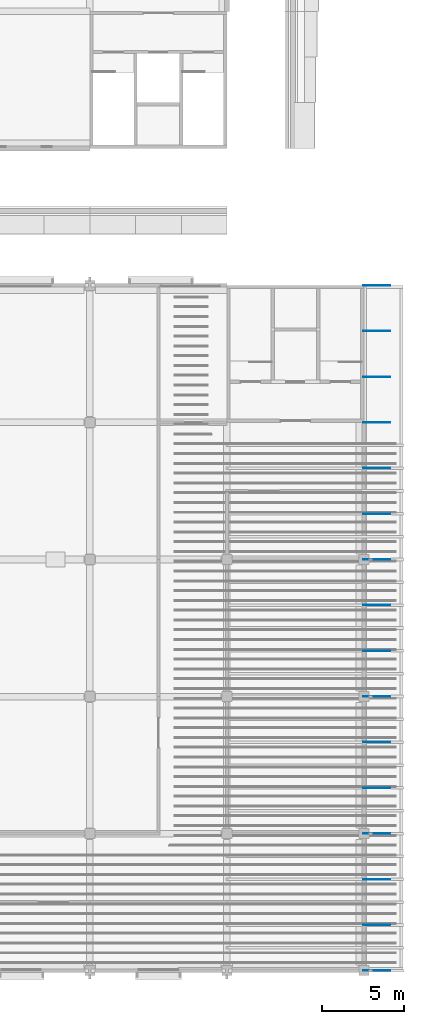
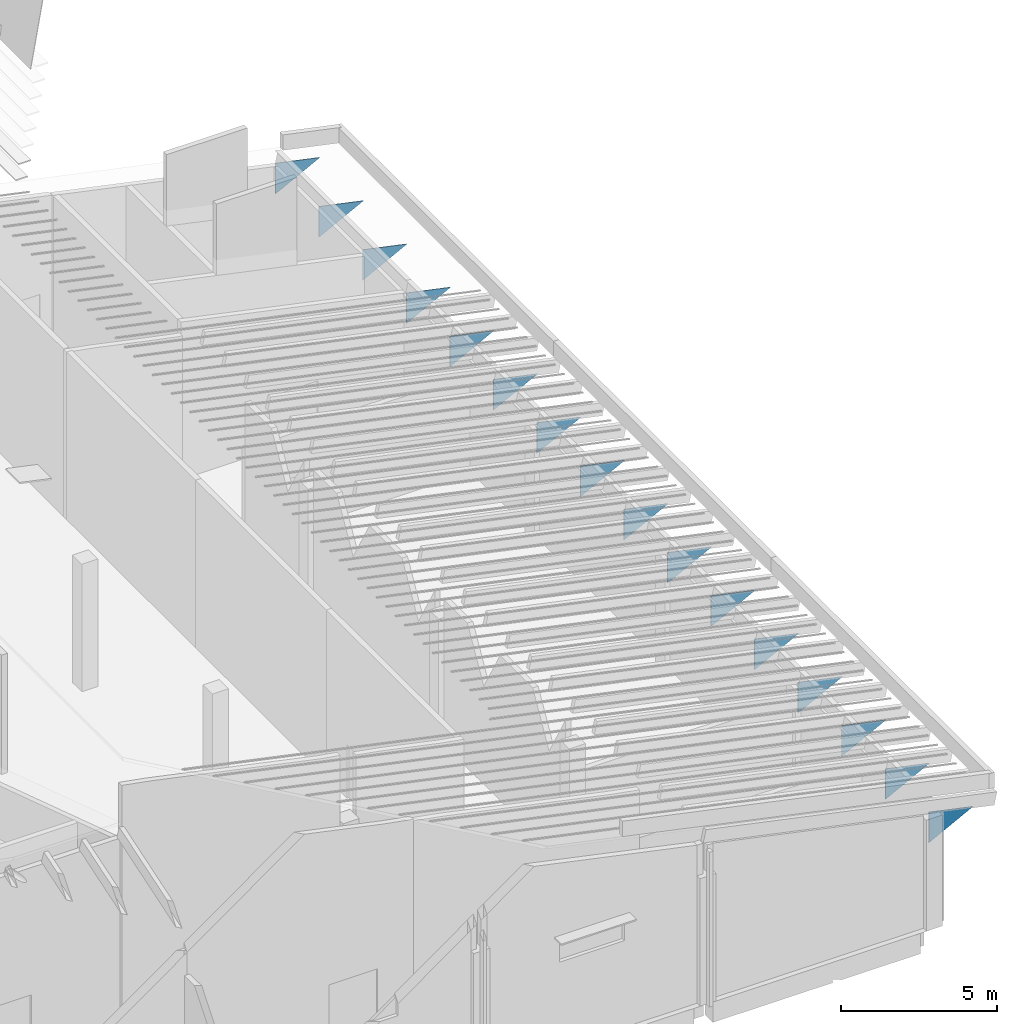
# One storey, part 30 of 59: 16 discrete accessories.
"""IFC4 building model written with IfcOpenShell, lengths in metres."""

from ifc_helpers import new_model, si_unit, direction, frame, origin, place, context, subcontext, project, spatial, polyline, outline, extrude, material, type_object, element, save


model = new_model("IFC4")

# Units and contexts
model_context = context("Model", 3, precision=1e-05, world=origin(), true_north=direction((0.0, 1.0)))
body_context = subcontext(model_context, "Body", "Model", "MODEL_VIEW")
ifc_project = project(units=[si_unit("LENGTHUNIT", "METRE"), si_unit("AREAUNIT", "SQUARE_METRE"), si_unit("VOLUMEUNIT", "CUBIC_METRE"), si_unit("PLANEANGLEUNIT", "RADIAN"), si_unit("MASSUNIT", "GRAM", prefix="KILO")], contexts=[model_context])

# Site, building, storey
site_placement = place(None, origin())
site = spatial("IfcSite", under=ifc_project, at=site_placement, CompositionType="ELEMENT")
building_placement = place(site_placement, origin())
building = spatial("IfcBuilding", under=site, at=building_placement, Name="Almond Square Museum", CompositionType="ELEMENT")
storey_placement = place(building_placement, frame((0.0, 0.0, 25.0)))
storey = spatial("IfcBuildingStorey", under=building, at=storey_placement, Name="L04", CompositionType="ELEMENT", Elevation=25.0)

# Discrete accessories
ifc_material = material(Name="Structural steel S355", Category="steel")
discrete_accessory_type = type_object("IfcDiscreteAccessoryType", Name="Eave knee bracket", PredefinedType="BRACKET", material=ifc_material)
for number, where, z_axis, x_axis, name in (
    (1, (157.159912109375, 0.0, 4.405029296875), (0.0, -1.0, 0.0), (0.0, 0.0, -1.0), "Eave knee bracket X.157.1"),
    (2, (157.159912109375, 2.800048828125, 4.405029296875), (0.0, -1.0, 0.0), (0.0, 0.0, -1.0), "Eave knee bracket X.157.2"),
    (3, (157.159912109375, 5.60009765625, 4.405029296875), (0.0, -1.0, 0.0), (0.0, 0.0, -1.0), "Eave knee bracket X.157.3"),
    (4, (157.159912109375, 8.39990234375, 4.405029296875), (0.0, -1.0, 0.0), (0.0, 0.0, -1.0), "Eave knee bracket X.157.4"),
    (5, (157.159912109375, 11.199951171875, 4.405029296875), (0.0, -1.0, 0.0), (0.0, 0.0, -1.0), "Eave knee bracket X.157.5"),
    (6, (157.159912109375, 14.0, 4.405029296875), (0.0, -1.0, 0.0), (0.0, 0.0, -1.0), "Eave knee bracket X.157.6"),
    (7, (157.159912109375, 16.800048828125, 4.405029296875), (0.0, -1.0, 0.0), (0.0, 0.0, -1.0), "Eave knee bracket X.157.7"),
    (8, (157.159912109375, 19.60009765625, 4.405029296875), (0.0, -1.0, 0.0), (0.0, 0.0, -1.0), "Eave knee bracket X.157.8"),
    (9, (157.159912109375, 22.39990234375, 4.405029296875), (0.0, -1.0, 0.0), (0.0, 0.0, -1.0), "Eave knee bracket X.157.9"),
    (10, (157.159912109375, 25.199951171875, 4.405029296875), (0.0, -1.0, 0.0), (0.0, 0.0, -1.0), "Eave knee bracket X.157.10"),
    (11, (157.159912109375, 28.0, 4.405029296875), (0.0, -1.0, 0.0), (0.0, 0.0, -1.0), "Eave knee bracket X.157.11"),
    (12, (157.159912109375, 30.800048828125, 4.405029296875), (0.0, -1.0, 0.0), (0.0, 0.0, -1.0), "Eave knee bracket X.157.12"),
    (13, (157.159912109375, 33.60009765625, 4.405029296875), (0.0, -1.0, 0.0), (0.0, 0.0, -1.0), "Eave knee bracket X.157.13"),
    (14, (157.159912109375, 36.39990234375, 4.405029296875), (0.0, -1.0, 0.0), (0.0, 0.0, -1.0), "Eave knee bracket X.157.14"),
    (15, (157.159912109375, 39.199951171875, 4.405029296875), (0.0, -1.0, 0.0), (0.0, 0.0, -1.0), "Eave knee bracket X.157.15"),
    (16, (157.159912109375, 42.0, 4.405029296875), (0.0, -1.0, 0.0), (0.0, 0.0, -1.0), "Eave knee bracket X.157.16"),
):
    element("IfcDiscreteAccessory", number, at=place(storey_placement, frame(where, z_axis=z_axis, x_axis=x_axis)), inside=storey, type_object=discrete_accessory_type, Name=name, PredefinedType="BRACKET", context=body_context, shape_type="SweptSolid", body=[
        extrude(outline(polyline([(0.0, 0.0), (1.199951171875, 0.0), (0.3486328125, 1.64013671875), (0.0, 0.0)])), frame((0.0, 0.0, -0.01513671875)), (0.0, 0.0, 1.0), 0.030029296875),
    ])

save(model, "model.ifc")
